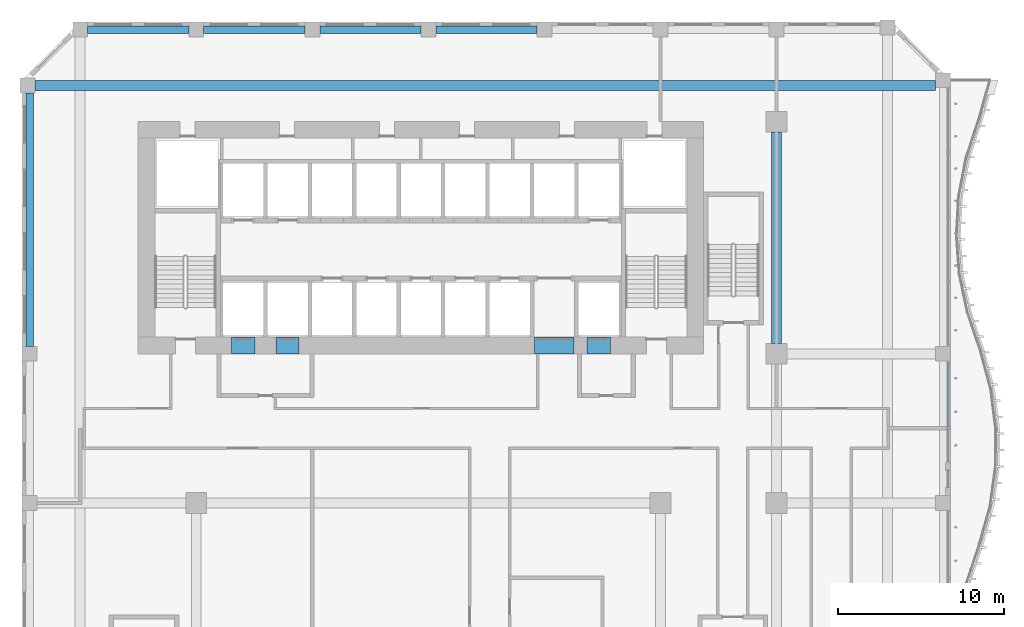
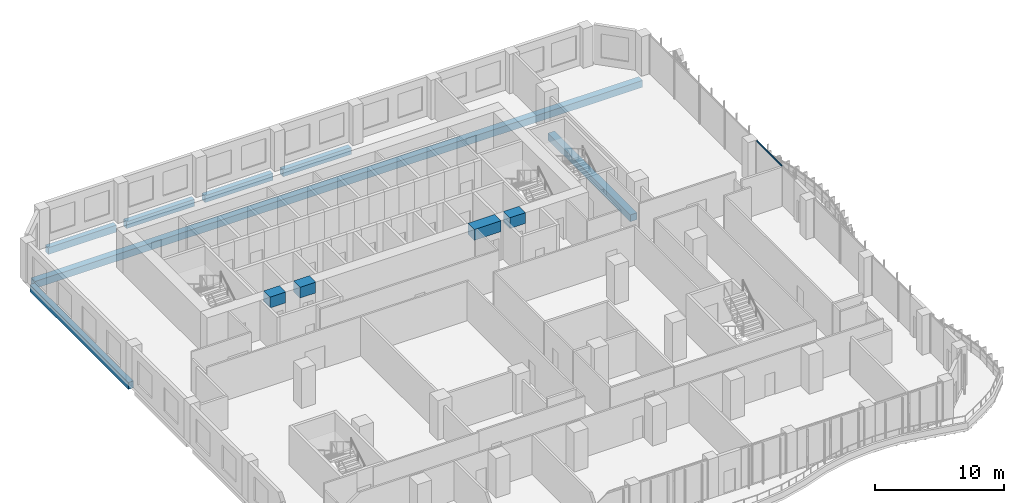
# One storey, part 10 of 29: 11 beams, 1 member, 1 element without a shape of its own.
"""IFC4 building model written with IfcOpenShell, lengths in metres."""

from ifc_helpers import new_model, si_unit, direction, frame, origin, origin_2d, place, context, subcontext, project, spatial, rectangle, extrude, source, transform, mapped, material, material_profile, profile_set, type_object, element, aggregate, save


model = new_model("IFC4")

# Units and contexts
model_context = context("Model", 3, precision=1e-05, world=origin(), true_north=direction((0.0, 1.0)))
body_context = subcontext(model_context, "Body", "Model", "MODEL_VIEW")
ifc_project = project(units=[si_unit("LENGTHUNIT", "METRE"), si_unit("AREAUNIT", "SQUARE_METRE"), si_unit("VOLUMEUNIT", "CUBIC_METRE"), si_unit("PLANEANGLEUNIT", "RADIAN"), si_unit("MASSUNIT", "GRAM", prefix="KILO")], contexts=[model_context])

# Site, building, storey
site_placement = place(None, origin())
site = spatial("IfcSite", under=ifc_project, at=site_placement, CompositionType="ELEMENT")
building_placement = place(site_placement, origin())
building = spatial("IfcBuilding", under=site, at=building_placement, Name="Kilnfold Tower and Market Hall", CompositionType="ELEMENT")
storey_placement = place(building_placement, frame((0.0, 0.0, 79.199951171875)))
storey = spatial("IfcBuildingStorey", under=building, at=storey_placement, Name="L18", CompositionType="ELEMENT", Elevation=79.199951171875)

# Beams
ifc_material_1 = material(Name="Concrete C45", Category="concrete")
ifc_material_profile_1 = material_profile(ifc_material_1, rectangle(XDim=0.449951171875, YDim=0.64990234375, at=origin_2d()), Name="RC 450x650")
ifc_profile_set_1 = profile_set([ifc_material_profile_1], Name="Concrete C45")
beam_type_1 = type_object("IfcBeamType", Name="EDGE BEAM 450X650 C45", PredefinedType="BEAM", material=ifc_profile_set_1)
shared_shape_1 = source(origin(), body_context, "Body", "SweptSolid", [
    extrude(rectangle(XDim=0.449951171875, YDim=0.64990234375, at=origin_2d()), origin(), (0.0, 0.0, 1.0), 6.10009765625),
])
for number, where, z_axis, x_axis, name in (
    (1, (-19.050048828125, 27.550048828125, -0.60498046875), (1.0, 0.0, 0.0), (0.0, 1.0, 0.0), "Beam EB650-B2.75"),
    (2, (-12.050048828125, 27.550048828125, -0.60498046875), (1.0, 0.0, 0.0), (0.0, 1.0, 0.0), "Beam EB650-B2.76"),
    (3, (-5.050048828125, 27.550048828125, -0.60498046875), (1.0, 0.0, 0.0), (0.0, 1.0, 0.0), "Beam EB650-B2.77"),
    (4, (1.949951171875, 27.550048828125, -0.60498046875), (1.0, 0.0, 0.0), (0.0, 1.0, 0.0), "Beam EB650-B2.78"),
):
    element("IfcBeam", number, at=place(storey_placement, frame(where, z_axis=z_axis, x_axis=x_axis)), inside=storey, type_object=beam_type_1, Name=name, PredefinedType="BEAM", context=body_context, shape_type="MappedRepresentation", body=[
        mapped(shared_shape_1, transform((0.0, 0.0, 0.0))),
    ])
ifc_material_2 = material(Name="Concrete C45", Category="concrete")
ifc_material_profile_2 = material_profile(ifc_material_2, rectangle(XDim=0.60009765625, YDim=0.64990234375, at=origin_2d()), Name="RC 600x650")
ifc_profile_set_2 = profile_set([ifc_material_profile_2], Name="Concrete C45")
beam_type_2 = type_object("IfcBeamType", Name="BEAM 600X650 C45", PredefinedType="BEAM", material=ifc_profile_set_2)
shared_shape_2 = source(origin(), body_context, "Body", "SweptSolid", [
    extrude(rectangle(XDim=0.60009765625, YDim=0.64990234375, at=origin_2d()), origin(), (0.0, 0.0, 1.0), 54.331787109375),
])
beam_1_placement = place(storey_placement, frame((-22.231689453125, 24.179931640625, -0.60498046875), z_axis=(1.0, 0.0, 0.0), x_axis=(0.0, 1.0, 0.0)))
element("IfcBeam", 5, at=beam_1_placement, inside=storey, type_object=beam_type_2, Name="Beam BB650-B2.74", PredefinedType="BEAM", context=body_context, shape_type="MappedRepresentation", body=[
    mapped(shared_shape_2, transform((0.0, 0.0, 0.0))),
])
shared_shape_3 = source(origin(), body_context, "Body", "SweptSolid", [
    extrude(rectangle(XDim=0.449951171875, YDim=0.64990234375, at=origin_2d()), origin(), (0.0, 0.0, 1.0), 15.28173828125),
])
beam_2_placement = place(storey_placement, frame((-22.550048828125, 8.449951171875, -0.60498046875), z_axis=(0.0, 1.0, 0.0), x_axis=(-1.0, 0.0, 0.0)))
element("IfcBeam", 6, at=beam_2_placement, inside=storey, type_object=beam_type_1, Name="Beam EB650-B2.41", PredefinedType="BEAM", context=body_context, shape_type="MappedRepresentation", body=[
    mapped(shared_shape_3, transform((0.0, 0.0, 0.0))),
])
ifc_material_3 = material(Name="Concrete C80", Category="concrete")
ifc_material_profile_3 = material_profile(ifc_material_3, rectangle(XDim=1.0, YDim=1.02001953125, at=origin_2d()), Name="RC 1000x1020")
ifc_profile_set_3 = profile_set([ifc_material_profile_3], Name="Concrete C80")
beam_type_3 = type_object("IfcBeamType", Name="COUPLING BEAM 1000X1020 C80", PredefinedType="BEAM", material=ifc_profile_set_3)
shared_shape_4 = source(origin(), body_context, "Body", "SweptSolid", [
    extrude(rectangle(XDim=1.0, YDim=1.02001953125, at=origin_2d()), origin(), (0.0, 0.0, 1.0), 1.400146484375),
])
beam_3_placement = place(storey_placement, frame((-10.3701171875, 8.5, 3.2099609375), z_axis=(1.0, 0.0, 0.0), x_axis=(0.0, 1.0, 0.0)))
element("IfcBeam", 7, at=beam_3_placement, inside=storey, type_object=beam_type_3, Name="Coupling beam CB1020-80-CORE.42", PredefinedType="BEAM", context=body_context, shape_type="MappedRepresentation", body=[
    mapped(shared_shape_4, transform((0.0, 0.0, 0.0))),
])
shared_shape_5 = source(origin(), body_context, "Body", "SweptSolid", [
    extrude(rectangle(XDim=1.0, YDim=1.02001953125, at=origin_2d()), origin(), (0.0, 0.0, 1.0), 1.39990234375),
])
for number, where, z_axis, x_axis, name in (
    (8, (-7.68994140625, 8.5, 3.2099609375), (1.0, 0.0, 0.0), (0.0, 1.0, 0.0), "Coupling beam CB1020-80-CORE.43"),
    (9, (11.070068359375, 8.5, 3.2099609375), (1.0, 0.0, 0.0), (0.0, 1.0, 0.0), "Coupling beam CB1020-80-CORE.45"),
):
    element("IfcBeam", number, at=place(storey_placement, frame(where, z_axis=z_axis, x_axis=x_axis)), inside=storey, type_object=beam_type_3, Name=name, PredefinedType="BEAM", context=body_context, shape_type="MappedRepresentation", body=[
        mapped(shared_shape_5, transform((0.0, 0.0, 0.0))),
    ])
shared_shape_6 = source(origin(), body_context, "Body", "SweptSolid", [
    extrude(rectangle(XDim=1.0, YDim=1.02001953125, at=origin_2d()), origin(), (0.0, 0.0, 1.0), 2.400146484375),
])
beam_4_placement = place(storey_placement, frame((7.889892578125, 8.5, 3.2099609375), z_axis=(1.0, 0.0, 0.0), x_axis=(0.0, 1.0, 0.0)))
element("IfcBeam", 10, at=beam_4_placement, inside=storey, type_object=beam_type_3, Name="Coupling beam CB1020-80-CORE.44", PredefinedType="BEAM", context=body_context, shape_type="MappedRepresentation", body=[
    mapped(shared_shape_6, transform((0.0, 0.0, 0.0))),
])
shared_shape_7 = source(origin(), body_context, "Body", "SweptSolid", [
    extrude(rectangle(XDim=0.60009765625, YDim=0.64990234375, at=origin_2d()), origin(), (0.0, 0.0, 1.0), 12.75),
])
beam_5_placement = place(storey_placement, frame((22.5, 8.625, -0.60498046875), z_axis=(0.0, 1.0, 0.0), x_axis=(-1.0, 0.0, 0.0)))
element("IfcBeam", 11, at=beam_5_placement, inside=storey, type_object=beam_type_2, Name="Beam BB650-B2.97", PredefinedType="BEAM", context=body_context, shape_type="MappedRepresentation", body=[
    mapped(shared_shape_7, transform((0.0, 0.0, 0.0))),
])

# Curtain wall, member
ifc_material_4 = material(Name="Aluminium and double glazing", Category="aluminium")
curtain_wall_type = type_object("IfcCurtainWallType", Name="CW OF1 VALLEY GLAZING", PredefinedType="NOTDEFINED", material=ifc_material_4)
curtain_wall_placement = place(storey_placement, origin())
curtain_wall = element("IfcCurtainWall", 12, at=curtain_wall_placement, inside=storey, type_object=curtain_wall_type, Name="Curtain wall CW1 L18 E", PredefinedType="NOTDEFINED")
ifc_material_5 = material(Name="Aluminium", Category="aluminium")
ifc_material_profile_4 = material_profile(ifc_material_5, rectangle(XDim=0.06005859375, YDim=0.139892578125, at=origin_2d()), Name="TRANSOM 60x140")
ifc_profile_set_4 = profile_set([ifc_material_profile_4], Name="Aluminium")
member_type = type_object("IfcMemberType", Name="TRANSOM 60X140", PredefinedType="USERDEFINED", material=ifc_profile_set_4)
shared_shape_8 = source(origin(), body_context, "Body", "SweptSolid", [
    extrude(rectangle(XDim=0.06005859375, YDim=0.139892578125, at=origin_2d()), origin(), (0.0, 0.0, 1.0), 3.929931640625),
])
member_placement = place(storey_placement, frame((32.85009765625, 3.56005859375, 3.68994140625), z_axis=(0.0, 1.0, 0.0), x_axis=(-1.0, 0.0, 0.0)))
member = element("IfcMember", 13, at=member_placement, type_object=member_type, Name="CW1 transom 1.2", ObjectType="TRANSOM", PredefinedType="USERDEFINED", context=body_context, shape_type="MappedRepresentation", body=[
    mapped(shared_shape_8, transform((0.0, 0.0, 0.0))),
])
aggregate(curtain_wall, [member])

save(model, "model.ifc")
